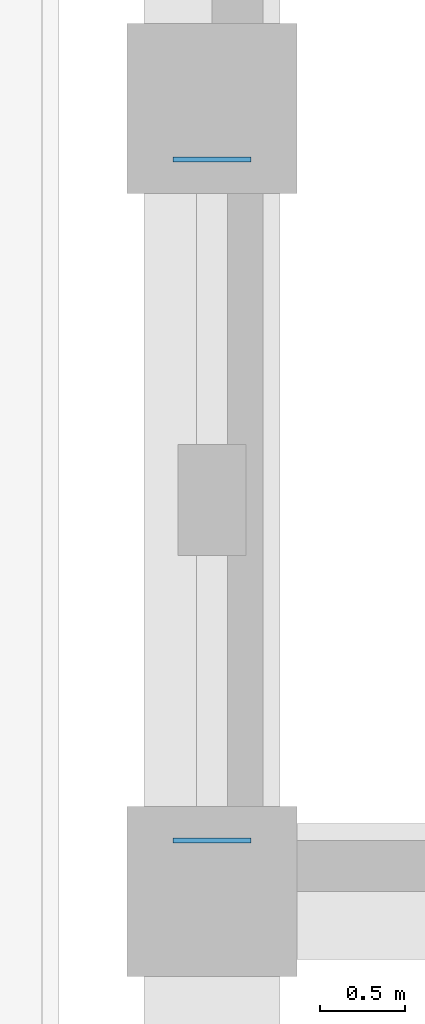
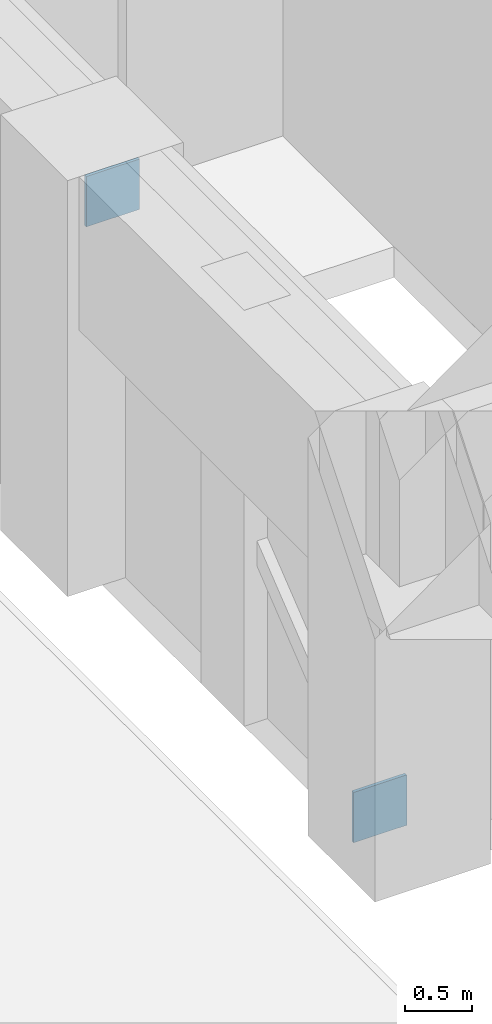
# One storey, part 49 of 74: 2 plates.
"""IFC4 building model written with IfcOpenShell, lengths in metres."""

from ifc_helpers import new_model, si_unit, direction, frame, origin, origin_2d, place, context, subcontext, project, spatial, rectangle, extrude, material, layer, layer_set, type_object, element, save


model = new_model("IFC4")

# Units and contexts
model_context = context("Model", 3, precision=1e-05, world=origin(), true_north=direction((0.0, 1.0)))
body_context = subcontext(model_context, "Body", "Model", "MODEL_VIEW")
ifc_project = project(units=[si_unit("LENGTHUNIT", "METRE"), si_unit("AREAUNIT", "SQUARE_METRE"), si_unit("VOLUMEUNIT", "CUBIC_METRE"), si_unit("PLANEANGLEUNIT", "RADIAN"), si_unit("MASSUNIT", "GRAM", prefix="KILO")], contexts=[model_context])

# Site, building, storey
site_placement = place(None, origin())
site = spatial("IfcSite", under=ifc_project, at=site_placement, CompositionType="ELEMENT")
building_placement = place(site_placement, origin())
building = spatial("IfcBuilding", under=site, at=building_placement, Name="Muzn Square Opera House", CompositionType="ELEMENT")
storey_placement = place(building_placement, frame((0.0, 0.0, 14.199951171875)))
storey = spatial("IfcBuildingStorey", under=building, at=storey_placement, Name="L03", CompositionType="ELEMENT", Elevation=14.199951171875)

# Plates
ifc_material = material(Name="Steel S355", Category="steel")
ifc_layer = layer(ifc_material, 0.028076171875, Name="Steel S355", Category="steel")
ifc_layer_set = layer_set([ifc_layer], Name="Steel S355")
plate_type = type_object("IfcPlateType", Name="Gusset Plate 28mm 460x460", PredefinedType="USERDEFINED", material=ifc_layer_set)
for number, where, z_axis, x_axis, name in (
    (1, (43.0, 22.300048828125, -0.030029296875), (0.0, 0.0, 1.0), (1.0, 0.0, 0.0), "Lateral Brace End Cap Plate SBRC-11-A"),
    (2, (43.0, 26.300048828125, 3.170166015625), (0.0, 0.0, 1.0), (1.0, 0.0, 0.0), "Lateral Brace End Cap Plate SBRC-11-B"),
):
    element("IfcPlate", number, at=place(storey_placement, frame(where, z_axis=z_axis, x_axis=x_axis)), inside=storey, type_object=plate_type, Name=name, ObjectType="GUSSET PLATE", PredefinedType="USERDEFINED", context=body_context, shape_type="SweptSolid", body=[
        extrude(rectangle(XDim=0.4599609375, YDim=0.028076171875, at=origin_2d()), origin(), (0.0, 0.0, 1.0), 0.4599609375),
    ])

save(model, "model.ifc")
